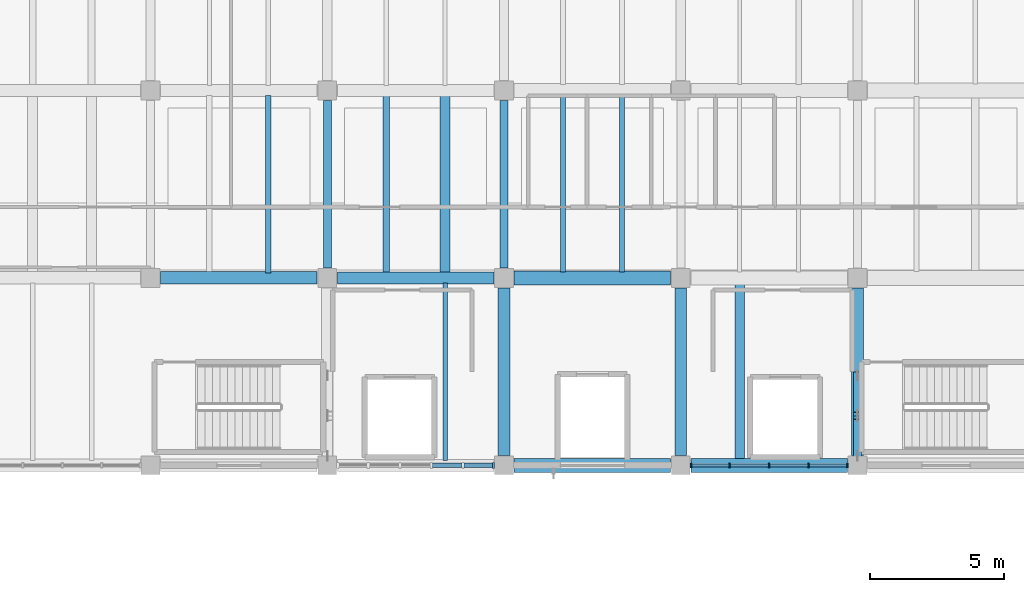
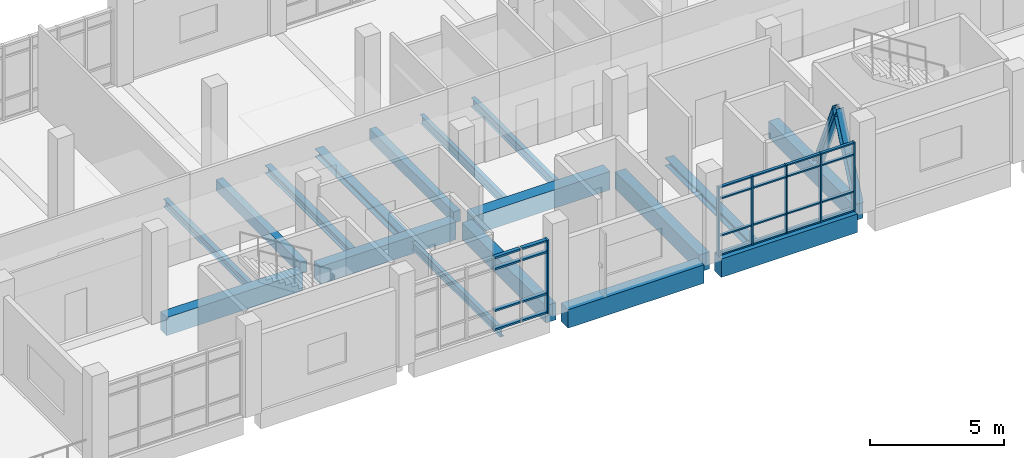
# One storey, part 4 of 20: 32 members, 17 beams, 2 elements without a shape of their own.
"""IFC4 building model written with IfcOpenShell, lengths in metres."""

from ifc_helpers import new_model, si_unit, direction, frame, origin, origin_2d, place, context, subcontext, project, spatial, rectangle, i_section, extrude, material, material_profile, profile_set, type_object, element, aggregate, save


model = new_model("IFC4")

# Units and contexts
model_context = context("Model", 3, precision=1e-05, world=origin(), true_north=direction((0.0, 1.0)))
body_context = subcontext(model_context, "Body", "Model", "MODEL_VIEW")
ifc_project = project(units=[si_unit("LENGTHUNIT", "METRE"), si_unit("AREAUNIT", "SQUARE_METRE"), si_unit("VOLUMEUNIT", "CUBIC_METRE"), si_unit("PLANEANGLEUNIT", "RADIAN"), si_unit("MASSUNIT", "GRAM", prefix="KILO")], contexts=[model_context])

# Site, building, storey
site_placement = place(None, origin())
site = spatial("IfcSite", under=ifc_project, at=site_placement, CompositionType="ELEMENT")
building_placement = place(site_placement, origin())
building = spatial("IfcBuilding", under=site, at=building_placement, Name="Ciguamira Faculty of Natural Sciences", CompositionType="ELEMENT")
storey_placement = place(building_placement, frame((0.0, 0.0, 21.0)))
storey = spatial("IfcBuildingStorey", under=building, at=storey_placement, Name="L05", CompositionType="ELEMENT", Elevation=21.0)

# Curtain wall, members
ifc_material_1 = material(Name="Anodized aluminium curtain wall", Category="aluminium")
curtain_wall_type_1 = type_object("IfcCurtainWallType", Name="CurtainWall_CW-04", PredefinedType="USERDEFINED", material=ifc_material_1)
curtain_wall_1_placement = place(storey_placement, origin())
curtain_wall_1 = element("IfcCurtainWall", 1, at=curtain_wall_1_placement, inside=storey, type_object=curtain_wall_type_1, Name="L05 unitised curtain wall 0136", ObjectType="UNITISED CURTAIN WALL", PredefinedType="USERDEFINED")
ifc_material_2 = material(Name="Anodized aluminium mullion", Category="aluminium")
ifc_material_profile_1 = material_profile(ifc_material_2, rectangle(XDim=0.06005859375, YDim=0.159912109375, at=origin_2d()), Name="ALU-MUL-60X160")
ifc_profile_set_1 = profile_set([ifc_material_profile_1], Name="Anodized aluminium mullion")
member_type_1 = type_object("IfcMemberType", Name="CWMullion_CWM-01", PredefinedType="MULLION", material=ifc_profile_set_1)
member_1_placement = place(storey_placement, frame((90.679931640625, 94.0, 0.0), z_axis=(0.0, 0.0, 1.0), x_axis=(1.0, 0.0, 0.0)))
member_1 = element("IfcMember", 2, at=member_1_placement, type_object=member_type_1, Name="CW-04 mullion 1", PredefinedType="MULLION", context=body_context, shape_type="SweptSolid", body=[
    extrude(rectangle(XDim=0.06005859375, YDim=0.159912109375, at=origin_2d()), origin(), (0.0, 0.0, 1.0), 3.135009765625),
])
member_2_placement = place(storey_placement, frame((92.125, 94.0, 0.0), z_axis=(0.0, 0.0, 1.0), x_axis=(1.0, 0.0, 0.0)))
member_2 = element("IfcMember", 3, at=member_2_placement, type_object=member_type_1, Name="CW-04 mullion 2", PredefinedType="MULLION", context=body_context, shape_type="SweptSolid", body=[
    extrude(rectangle(XDim=0.06005859375, YDim=0.159912109375, at=origin_2d()), origin(), (0.0, 0.0, 1.0), 3.135009765625),
])
member_3_placement = place(storey_placement, frame((93.60009765625, 94.0, 0.0), z_axis=(0.0, 0.0, 1.0), x_axis=(1.0, 0.0, 0.0)))
member_3 = element("IfcMember", 4, at=member_3_placement, type_object=member_type_1, Name="CW-04 mullion 3", PredefinedType="MULLION", context=body_context, shape_type="SweptSolid", body=[
    extrude(rectangle(XDim=0.06005859375, YDim=0.159912109375, at=origin_2d()), origin(), (0.0, 0.0, 1.0), 3.135009765625),
])
member_4_placement = place(storey_placement, frame((95.074951171875, 94.0, 0.0), z_axis=(0.0, 0.0, 1.0), x_axis=(1.0, 0.0, 0.0)))
member_4 = element("IfcMember", 5, at=member_4_placement, type_object=member_type_1, Name="CW-04 mullion 4", PredefinedType="MULLION", context=body_context, shape_type="SweptSolid", body=[
    extrude(rectangle(XDim=0.06005859375, YDim=0.159912109375, at=origin_2d()), origin(), (0.0, 0.0, 1.0), 3.135009765625),
])
member_5_placement = place(storey_placement, frame((96.52001953125, 94.0, 0.0), z_axis=(0.0, 0.0, 1.0), x_axis=(1.0, 0.0, 0.0)))
member_5 = element("IfcMember", 6, at=member_5_placement, type_object=member_type_1, Name="CW-04 mullion 5", PredefinedType="MULLION", context=body_context, shape_type="SweptSolid", body=[
    extrude(rectangle(XDim=0.06005859375, YDim=0.159912109375, at=origin_2d()), origin(), (0.0, 0.0, 1.0), 3.135009765625),
])

# Curtain wall, member
curtain_wall_type_2 = type_object("IfcCurtainWallType", Name="CurtainWall_CW-03", PredefinedType="USERDEFINED", material=ifc_material_1)
curtain_wall_2_placement = place(storey_placement, origin())
curtain_wall_2 = element("IfcCurtainWall", 7, at=curtain_wall_2_placement, inside=storey, type_object=curtain_wall_type_2, Name="L05 unitised curtain wall 0135", ObjectType="UNITISED CURTAIN WALL", PredefinedType="USERDEFINED")
ifc_material_profile_2 = material_profile(ifc_material_2, rectangle(XDim=0.080078125, YDim=0.219970703125, at=origin_2d()), Name="ALU-MUL-80X220")
ifc_profile_set_2 = profile_set([ifc_material_profile_2], Name="Anodized aluminium mullion")
member_type_2 = type_object("IfcMemberType", Name="CWMullion_CWM-03", PredefinedType="MULLION", material=ifc_profile_set_2)
member_6_placement = place(storey_placement, frame((83.31005859375, 94.0, 0.0), z_axis=(0.0, 0.0, 1.0), x_axis=(1.0, 0.0, 0.0)))
member_6 = element("IfcMember", 8, at=member_6_placement, type_object=member_type_2, Name="CW-03 mullion 6", PredefinedType="MULLION", context=body_context, shape_type="SweptSolid", body=[
    extrude(rectangle(XDim=0.080078125, YDim=0.219970703125, at=origin_2d()), origin(), (0.0, 0.0, 1.0), 3.344970703125),
])

# Member
ifc_material_3 = material(Name="Anodized aluminium transom", Category="aluminium")
ifc_material_profile_3 = material_profile(ifc_material_3, rectangle(XDim=0.06005859375, YDim=0.1201171875, at=origin_2d()), Name="ALU-TRN-60X120")
ifc_profile_set_3 = profile_set([ifc_material_profile_3], Name="Anodized aluminium transom")
member_type_3 = type_object("IfcMemberType", Name="CWTransom_CWT-01", PredefinedType="USERDEFINED", material=ifc_profile_set_3)
member_7_placement = place(storey_placement, frame((90.7099609375, 94.0, 0.030029296875), z_axis=(1.0, 0.0, 0.0), x_axis=(0.0, 0.0, 1.0)))
member_7 = element("IfcMember", 9, at=member_7_placement, type_object=member_type_3, Name="CW-04 transom 1.1", ObjectType="TRANSOM", PredefinedType="USERDEFINED", context=body_context, shape_type="SweptSolid", body=[
    extrude(rectangle(XDim=0.06005859375, YDim=0.1201171875, at=origin_2d()), origin(), (0.0, 0.0, 1.0), 1.385009765625),
])

member_8_placement = place(storey_placement, frame((90.7099609375, 94.0, 0.89990234375), z_axis=(1.0, 0.0, 0.0), x_axis=(0.0, 0.0, 1.0)))
member_8 = element("IfcMember", 10, at=member_8_placement, type_object=member_type_3, Name="CW-04 transom 1.2", ObjectType="TRANSOM", PredefinedType="USERDEFINED", context=body_context, shape_type="SweptSolid", body=[
    extrude(rectangle(XDim=0.06005859375, YDim=0.1201171875, at=origin_2d()), origin(), (0.0, 0.0, 1.0), 1.385009765625),
])

member_9_placement = place(storey_placement, frame((90.7099609375, 94.0, 2.5849609375), z_axis=(1.0, 0.0, 0.0), x_axis=(0.0, 0.0, 1.0)))
member_9 = element("IfcMember", 11, at=member_9_placement, type_object=member_type_3, Name="CW-04 transom 1.3", ObjectType="TRANSOM", PredefinedType="USERDEFINED", context=body_context, shape_type="SweptSolid", body=[
    extrude(rectangle(XDim=0.06005859375, YDim=0.1201171875, at=origin_2d()), origin(), (0.0, 0.0, 1.0), 1.385009765625),
])

member_10_placement = place(storey_placement, frame((90.7099609375, 94.0, 3.10498046875), z_axis=(1.0, 0.0, 0.0), x_axis=(0.0, 0.0, 1.0)))
member_10 = element("IfcMember", 12, at=member_10_placement, type_object=member_type_3, Name="CW-04 transom 1.4", ObjectType="TRANSOM", PredefinedType="USERDEFINED", context=body_context, shape_type="SweptSolid", body=[
    extrude(rectangle(XDim=0.06005859375, YDim=0.1201171875, at=origin_2d()), origin(), (0.0, 0.0, 1.0), 1.385009765625),
])

member_11_placement = place(storey_placement, frame((92.155029296875, 94.0, 0.030029296875), z_axis=(1.0, 0.0, 0.0), x_axis=(0.0, 0.0, 1.0)))
member_11 = element("IfcMember", 13, at=member_11_placement, type_object=member_type_3, Name="CW-04 transom 2.1", ObjectType="TRANSOM", PredefinedType="USERDEFINED", context=body_context, shape_type="SweptSolid", body=[
    extrude(rectangle(XDim=0.06005859375, YDim=0.1201171875, at=origin_2d()), origin(), (0.0, 0.0, 1.0), 1.4150390625),
])

member_12_placement = place(storey_placement, frame((92.155029296875, 94.0, 0.89990234375), z_axis=(1.0, 0.0, 0.0), x_axis=(0.0, 0.0, 1.0)))
member_12 = element("IfcMember", 14, at=member_12_placement, type_object=member_type_3, Name="CW-04 transom 2.2", ObjectType="TRANSOM", PredefinedType="USERDEFINED", context=body_context, shape_type="SweptSolid", body=[
    extrude(rectangle(XDim=0.06005859375, YDim=0.1201171875, at=origin_2d()), origin(), (0.0, 0.0, 1.0), 1.4150390625),
])

member_13_placement = place(storey_placement, frame((92.155029296875, 94.0, 2.5849609375), z_axis=(1.0, 0.0, 0.0), x_axis=(0.0, 0.0, 1.0)))
member_13 = element("IfcMember", 15, at=member_13_placement, type_object=member_type_3, Name="CW-04 transom 2.3", ObjectType="TRANSOM", PredefinedType="USERDEFINED", context=body_context, shape_type="SweptSolid", body=[
    extrude(rectangle(XDim=0.06005859375, YDim=0.1201171875, at=origin_2d()), origin(), (0.0, 0.0, 1.0), 1.4150390625),
])

member_14_placement = place(storey_placement, frame((92.155029296875, 94.0, 3.10498046875), z_axis=(1.0, 0.0, 0.0), x_axis=(0.0, 0.0, 1.0)))
member_14 = element("IfcMember", 16, at=member_14_placement, type_object=member_type_3, Name="CW-04 transom 2.4", ObjectType="TRANSOM", PredefinedType="USERDEFINED", context=body_context, shape_type="SweptSolid", body=[
    extrude(rectangle(XDim=0.06005859375, YDim=0.1201171875, at=origin_2d()), origin(), (0.0, 0.0, 1.0), 1.4150390625),
])

member_15_placement = place(storey_placement, frame((93.6298828125, 94.0, 0.030029296875), z_axis=(1.0, 0.0, 0.0), x_axis=(0.0, 0.0, 1.0)))
member_15 = element("IfcMember", 17, at=member_15_placement, type_object=member_type_3, Name="CW-04 transom 3.1", ObjectType="TRANSOM", PredefinedType="USERDEFINED", context=body_context, shape_type="SweptSolid", body=[
    extrude(rectangle(XDim=0.06005859375, YDim=0.1201171875, at=origin_2d()), origin(), (0.0, 0.0, 1.0), 1.4150390625),
])

member_16_placement = place(storey_placement, frame((93.6298828125, 94.0, 0.89990234375), z_axis=(1.0, 0.0, 0.0), x_axis=(0.0, 0.0, 1.0)))
member_16 = element("IfcMember", 18, at=member_16_placement, type_object=member_type_3, Name="CW-04 transom 3.2", ObjectType="TRANSOM", PredefinedType="USERDEFINED", context=body_context, shape_type="SweptSolid", body=[
    extrude(rectangle(XDim=0.06005859375, YDim=0.1201171875, at=origin_2d()), origin(), (0.0, 0.0, 1.0), 1.4150390625),
])

member_17_placement = place(storey_placement, frame((93.6298828125, 94.0, 2.5849609375), z_axis=(1.0, 0.0, 0.0), x_axis=(0.0, 0.0, 1.0)))
member_17 = element("IfcMember", 19, at=member_17_placement, type_object=member_type_3, Name="CW-04 transom 3.3", ObjectType="TRANSOM", PredefinedType="USERDEFINED", context=body_context, shape_type="SweptSolid", body=[
    extrude(rectangle(XDim=0.06005859375, YDim=0.1201171875, at=origin_2d()), origin(), (0.0, 0.0, 1.0), 1.4150390625),
])

member_18_placement = place(storey_placement, frame((93.6298828125, 94.0, 3.10498046875), z_axis=(1.0, 0.0, 0.0), x_axis=(0.0, 0.0, 1.0)))
member_18 = element("IfcMember", 20, at=member_18_placement, type_object=member_type_3, Name="CW-04 transom 3.4", ObjectType="TRANSOM", PredefinedType="USERDEFINED", context=body_context, shape_type="SweptSolid", body=[
    extrude(rectangle(XDim=0.06005859375, YDim=0.1201171875, at=origin_2d()), origin(), (0.0, 0.0, 1.0), 1.4150390625),
])

member_19_placement = place(storey_placement, frame((95.10498046875, 94.0, 0.030029296875), z_axis=(1.0, 0.0, 0.0), x_axis=(0.0, 0.0, 1.0)))
member_19 = element("IfcMember", 21, at=member_19_placement, type_object=member_type_3, Name="CW-04 transom 4.1", ObjectType="TRANSOM", PredefinedType="USERDEFINED", context=body_context, shape_type="SweptSolid", body=[
    extrude(rectangle(XDim=0.06005859375, YDim=0.1201171875, at=origin_2d()), origin(), (0.0, 0.0, 1.0), 1.385009765625),
])

member_20_placement = place(storey_placement, frame((95.10498046875, 94.0, 0.89990234375), z_axis=(1.0, 0.0, 0.0), x_axis=(0.0, 0.0, 1.0)))
member_20 = element("IfcMember", 22, at=member_20_placement, type_object=member_type_3, Name="CW-04 transom 4.2", ObjectType="TRANSOM", PredefinedType="USERDEFINED", context=body_context, shape_type="SweptSolid", body=[
    extrude(rectangle(XDim=0.06005859375, YDim=0.1201171875, at=origin_2d()), origin(), (0.0, 0.0, 1.0), 1.385009765625),
])

member_21_placement = place(storey_placement, frame((95.10498046875, 94.0, 2.5849609375), z_axis=(1.0, 0.0, 0.0), x_axis=(0.0, 0.0, 1.0)))
member_21 = element("IfcMember", 23, at=member_21_placement, type_object=member_type_3, Name="CW-04 transom 4.3", ObjectType="TRANSOM", PredefinedType="USERDEFINED", context=body_context, shape_type="SweptSolid", body=[
    extrude(rectangle(XDim=0.06005859375, YDim=0.1201171875, at=origin_2d()), origin(), (0.0, 0.0, 1.0), 1.385009765625),
])

member_22_placement = place(storey_placement, frame((95.10498046875, 94.0, 3.10498046875), z_axis=(1.0, 0.0, 0.0), x_axis=(0.0, 0.0, 1.0)))
member_22 = element("IfcMember", 24, at=member_22_placement, type_object=member_type_3, Name="CW-04 transom 4.4", ObjectType="TRANSOM", PredefinedType="USERDEFINED", context=body_context, shape_type="SweptSolid", body=[
    extrude(rectangle(XDim=0.06005859375, YDim=0.1201171875, at=origin_2d()), origin(), (0.0, 0.0, 1.0), 1.385009765625),
])

aggregate(curtain_wall_1, [member_1, member_2, member_3, member_4, member_5, member_7, member_8, member_9, member_10, member_11, member_12, member_13, member_14, member_15, member_16, member_17, member_18, member_19, member_20, member_21, member_22])

ifc_material_profile_4 = material_profile(ifc_material_3, rectangle(XDim=0.080078125, YDim=0.159912109375, at=origin_2d()), Name="ALU-TRN-80X160")
ifc_profile_set_4 = profile_set([ifc_material_profile_4], Name="Anodized aluminium transom")
member_type_4 = type_object("IfcMemberType", Name="CWTransom_CWT-03", PredefinedType="USERDEFINED", material=ifc_profile_set_4)
member_23_placement = place(storey_placement, frame((81.030029296875, 94.0, 0.0400390625), z_axis=(1.0, 0.0, 0.0), x_axis=(0.0, 0.0, 1.0)))
member_23 = element("IfcMember", 25, at=member_23_placement, type_object=member_type_4, Name="CW-03 transom 4.1", ObjectType="TRANSOM", PredefinedType="USERDEFINED", context=body_context, shape_type="SweptSolid", body=[
    extrude(rectangle(XDim=0.080078125, YDim=0.159912109375, at=origin_2d()), origin(), (0.0, 0.0, 1.0), 1.099853515625),
])

member_24_placement = place(storey_placement, frame((81.030029296875, 94.0, 0.89990234375), z_axis=(1.0, 0.0, 0.0), x_axis=(0.0, 0.0, 1.0)))
member_24 = element("IfcMember", 26, at=member_24_placement, type_object=member_type_4, Name="CW-03 transom 4.2", ObjectType="TRANSOM", PredefinedType="USERDEFINED", context=body_context, shape_type="SweptSolid", body=[
    extrude(rectangle(XDim=0.080078125, YDim=0.159912109375, at=origin_2d()), origin(), (0.0, 0.0, 1.0), 1.099853515625),
])

member_25_placement = place(storey_placement, frame((81.030029296875, 94.0, 2.794921875), z_axis=(1.0, 0.0, 0.0), x_axis=(0.0, 0.0, 1.0)))
member_25 = element("IfcMember", 27, at=member_25_placement, type_object=member_type_4, Name="CW-03 transom 4.3", ObjectType="TRANSOM", PredefinedType="USERDEFINED", context=body_context, shape_type="SweptSolid", body=[
    extrude(rectangle(XDim=0.080078125, YDim=0.159912109375, at=origin_2d()), origin(), (0.0, 0.0, 1.0), 1.099853515625),
])

member_26_placement = place(storey_placement, frame((81.030029296875, 94.0, 3.304931640625), z_axis=(1.0, 0.0, 0.0), x_axis=(0.0, 0.0, 1.0)))
member_26 = element("IfcMember", 28, at=member_26_placement, type_object=member_type_4, Name="CW-03 transom 4.4", ObjectType="TRANSOM", PredefinedType="USERDEFINED", context=body_context, shape_type="SweptSolid", body=[
    extrude(rectangle(XDim=0.080078125, YDim=0.159912109375, at=origin_2d()), origin(), (0.0, 0.0, 1.0), 1.099853515625),
])

member_27_placement = place(storey_placement, frame((82.2099609375, 94.0, 0.0400390625), z_axis=(1.0, 0.0, 0.0), x_axis=(0.0, 0.0, 1.0)))
member_27 = element("IfcMember", 29, at=member_27_placement, type_object=member_type_4, Name="CW-03 transom 5.1", ObjectType="TRANSOM", PredefinedType="USERDEFINED", context=body_context, shape_type="SweptSolid", body=[
    extrude(rectangle(XDim=0.080078125, YDim=0.159912109375, at=origin_2d()), origin(), (0.0, 0.0, 1.0), 1.06005859375),
])

member_28_placement = place(storey_placement, frame((82.2099609375, 94.0, 0.89990234375), z_axis=(1.0, 0.0, 0.0), x_axis=(0.0, 0.0, 1.0)))
member_28 = element("IfcMember", 30, at=member_28_placement, type_object=member_type_4, Name="CW-03 transom 5.2", ObjectType="TRANSOM", PredefinedType="USERDEFINED", context=body_context, shape_type="SweptSolid", body=[
    extrude(rectangle(XDim=0.080078125, YDim=0.159912109375, at=origin_2d()), origin(), (0.0, 0.0, 1.0), 1.06005859375),
])

member_29_placement = place(storey_placement, frame((82.2099609375, 94.0, 2.794921875), z_axis=(1.0, 0.0, 0.0), x_axis=(0.0, 0.0, 1.0)))
member_29 = element("IfcMember", 31, at=member_29_placement, type_object=member_type_4, Name="CW-03 transom 5.3", ObjectType="TRANSOM", PredefinedType="USERDEFINED", context=body_context, shape_type="SweptSolid", body=[
    extrude(rectangle(XDim=0.080078125, YDim=0.159912109375, at=origin_2d()), origin(), (0.0, 0.0, 1.0), 1.06005859375),
])

member_30_placement = place(storey_placement, frame((82.2099609375, 94.0, 3.304931640625), z_axis=(1.0, 0.0, 0.0), x_axis=(0.0, 0.0, 1.0)))
member_30 = element("IfcMember", 32, at=member_30_placement, type_object=member_type_4, Name="CW-03 transom 5.4", ObjectType="TRANSOM", PredefinedType="USERDEFINED", context=body_context, shape_type="SweptSolid", body=[
    extrude(rectangle(XDim=0.080078125, YDim=0.159912109375, at=origin_2d()), origin(), (0.0, 0.0, 1.0), 1.06005859375),
])

aggregate(curtain_wall_2, [member_6, member_23, member_24, member_25, member_26, member_27, member_28, member_29, member_30])

# Beams
ifc_material_4 = material(Name="Concrete C40/50", Category="concrete")
ifc_material_profile_5 = material_profile(ifc_material_4, rectangle(XDim=0.4599609375, YDim=0.820068359375, at=origin_2d()), Name="RC-BM-460X820")
ifc_profile_set_5 = profile_set([ifc_material_profile_5], Name="Concrete C40/50")
beam_type_1 = type_object("IfcBeamType", Name="RCBeam_BG-04_RC-BM-460X820", PredefinedType="BEAM", material=ifc_profile_set_5)
beam_1_placement = place(storey_placement, frame((70.875, 101.0, -0.409912109375), z_axis=(1.0, 0.0, 0.0), x_axis=(0.0, 1.0, 0.0)))
element("IfcBeam", 33, at=beam_1_placement, inside=storey, type_object=beam_type_1, Name="L05 RC girder EW-1451", PredefinedType="BEAM", context=body_context, shape_type="SweptSolid", body=[
    extrude(rectangle(XDim=0.4599609375, YDim=0.820068359375, at=origin_2d()), origin(), (0.0, 0.0, 1.0), 5.85009765625),
])
ifc_material_profile_6 = material_profile(ifc_material_4, rectangle(XDim=0.449951171875, YDim=0.800048828125, at=origin_2d()), Name="RC-BM-450X800")
ifc_profile_set_6 = profile_set([ifc_material_profile_6], Name="Concrete C40/50")
beam_type_2 = type_object("IfcBeamType", Name="RCBeam_BG-05_RC-BM-450X800", PredefinedType="BEAM", material=ifc_profile_set_6)
beam_2_placement = place(storey_placement, frame((77.47509765625, 101.0, -0.39990234375), z_axis=(1.0, 0.0, 0.0), x_axis=(0.0, 1.0, 0.0)))
element("IfcBeam", 34, at=beam_2_placement, inside=storey, type_object=beam_type_2, Name="L05 RC girder EW-1452", PredefinedType="BEAM", context=body_context, shape_type="SweptSolid", body=[
    extrude(rectangle(XDim=0.449951171875, YDim=0.800048828125, at=origin_2d()), origin(), (0.0, 0.0, 1.0), 5.849853515625),
])
ifc_material_profile_7 = material_profile(ifc_material_4, rectangle(XDim=0.43994140625, YDim=0.780029296875, at=origin_2d()), Name="RC-BM-440X780")
ifc_profile_set_7 = profile_set([ifc_material_profile_7], Name="Concrete C40/50")
beam_type_3 = type_object("IfcBeamType", Name="RCBeam_BG-06_RC-BM-440X780", PredefinedType="BEAM", material=ifc_profile_set_7)
for number, where, z_axis, x_axis, name in (
    (35, (83.699951171875, 94.375, -0.389892578125), (0.0, 1.0, 0.0), (-1.0, 0.0, 0.0), "L05 girder NS-1483"),
    (36, (90.300048828125, 94.375, -0.389892578125), (0.0, 1.0, 0.0), (-1.0, 0.0, 0.0), "L05 girder NS-1486"),
    (37, (96.89990234375, 94.375, -0.389892578125), (0.0, 1.0, 0.0), (-1.0, 0.0, 0.0), "L05 core-end brace tie girder 96"),
):
    element("IfcBeam", number, at=place(storey_placement, frame(where, z_axis=z_axis, x_axis=x_axis)), inside=storey, type_object=beam_type_3, Name=name, PredefinedType="BEAM", context=body_context, shape_type="SweptSolid", body=[
        extrude(rectangle(XDim=0.43994140625, YDim=0.780029296875, at=origin_2d()), origin(), (0.0, 0.0, 1.0), 6.25),
    ])
ifc_material_profile_8 = material_profile(ifc_material_4, rectangle(XDim=0.300048828125, YDim=0.52001953125, at=origin_2d()), Name="RC-BM-300X520")
ifc_profile_set_8 = profile_set([ifc_material_profile_8], Name="Concrete C40/50")
beam_type_4 = type_object("IfcBeamType", Name="RCBeam_BG-13_RC-BM-300X520", PredefinedType="BEAM", material=ifc_profile_set_8)
for number, where, z_axis, x_axis, name in (
    (38, (77.10009765625, 101.375, -0.260009765625), (0.0, 1.0, 0.0), (-1.0, 0.0, 0.0), "L05 girder NS-1481"),
    (39, (83.699951171875, 101.375, -0.260009765625), (0.0, 1.0, 0.0), (-1.0, 0.0, 0.0), "L05 girder NS-1484"),
):
    element("IfcBeam", number, at=place(storey_placement, frame(where, z_axis=z_axis, x_axis=x_axis)), inside=storey, type_object=beam_type_4, Name=name, PredefinedType="BEAM", context=body_context, shape_type="SweptSolid", body=[
        extrude(rectangle(XDim=0.300048828125, YDim=0.52001953125, at=origin_2d()), origin(), (0.0, 0.0, 1.0), 6.25),
    ])
ifc_material_profile_9 = material_profile(ifc_material_4, rectangle(XDim=0.52001953125, YDim=0.840087890625, at=origin_2d()), Name="RC-TB-520X840")
ifc_profile_set_9 = profile_set([ifc_material_profile_9], Name="Concrete C40/50")
beam_type_5 = type_object("IfcBeamType", Name="RCBeam_TB-02_RC-TB-520X840", PredefinedType="T_BEAM", material=ifc_profile_set_9)
beam_3_placement = place(storey_placement, frame((84.074951171875, 94.0, -0.419921875), z_axis=(1.0, 0.0, 0.0), x_axis=(0.0, 1.0, 0.0)))
element("IfcBeam", 40, at=beam_3_placement, inside=storey, type_object=beam_type_5, Name="L05 RC girder EW-1445", PredefinedType="T_BEAM", context=body_context, shape_type="SweptSolid", body=[
    extrude(rectangle(XDim=0.52001953125, YDim=0.840087890625, at=origin_2d()), origin(), (0.0, 0.0, 1.0), 5.85009765625),
])
beam_4_placement = place(storey_placement, frame((90.675048828125, 94.0, -0.419921875), z_axis=(1.0, 0.0, 0.0), x_axis=(0.0, 1.0, 0.0)))
element("IfcBeam", 41, at=beam_4_placement, inside=storey, type_object=beam_type_5, Name="L05 RC girder EW-1446", PredefinedType="T_BEAM", context=body_context, shape_type="SweptSolid", body=[
    extrude(rectangle(XDim=0.52001953125, YDim=0.840087890625, at=origin_2d()), origin(), (0.0, 0.0, 1.0), 5.849853515625),
])
beam_5_placement = place(storey_placement, frame((84.074951171875, 101.0, -0.419921875), z_axis=(1.0, 0.0, 0.0), x_axis=(0.0, 1.0, 0.0)))
element("IfcBeam", 42, at=beam_5_placement, inside=storey, type_object=beam_type_5, Name="L05 RC girder EW-1453", PredefinedType="T_BEAM", context=body_context, shape_type="SweptSolid", body=[
    extrude(rectangle(XDim=0.52001953125, YDim=0.840087890625, at=origin_2d()), origin(), (0.0, 0.0, 1.0), 5.85009765625),
])
ifc_material_5 = material(Name="Steel ASTM A992 Grade 50", Category="steel")
ifc_material_profile_10 = material_profile(ifc_material_5, i_section(OverallWidth=0.1708984375, OverallDepth=0.3505859375, WebThickness=0.0068359375, FlangeThickness=0.009765625, at=origin_2d()), Name="W14X30")
ifc_profile_set_10 = profile_set([ifc_material_profile_10], Name="Steel ASTM A992 Grade 50")
beam_type_6 = type_object("IfcBeamType", Name="SteelJoist_SJ-11_W14X30", PredefinedType="JOIST", material=ifc_profile_set_10)
beam_6_placement = place(storey_placement, frame((81.5, 94.18505859375, -0.415283203125), z_axis=(0.0, 1.0, 0.0), x_axis=(-1.0, 0.0, 0.0)))
element("IfcBeam", 43, at=beam_6_placement, inside=storey, type_object=beam_type_6, Name="L05 composite steel joist 01358", PredefinedType="JOIST", context=body_context, shape_type="SweptSolid", body=[
    extrude(i_section(OverallWidth=0.1708984375, OverallDepth=0.3505859375, WebThickness=0.0068359375, FlangeThickness=0.009765625, at=origin_2d()), origin(), (0.0, 0.0, 1.0), 6.6298828125),
])
ifc_material_profile_11 = material_profile(ifc_material_5, i_section(OverallWidth=0.204833984375, OverallDepth=0.35302734375, WebThickness=0.00927734375, FlangeThickness=0.016845703125, at=origin_2d()), Name="W14X53")
ifc_profile_set_11 = profile_set([ifc_material_profile_11], Name="Steel ASTM A992 Grade 50")
beam_type_7 = type_object("IfcBeamType", Name="SteelJoist_SJ-13_W14X53", PredefinedType="JOIST", material=ifc_profile_set_11)
beam_7_placement = place(storey_placement, frame((74.89990234375, 101.18994140625, -0.41650390625), z_axis=(0.0, 1.0, 0.0), x_axis=(-1.0, 0.0, 0.0)))
element("IfcBeam", 44, at=beam_7_placement, inside=storey, type_object=beam_type_7, Name="L05 composite steel joist 01355", PredefinedType="JOIST", context=body_context, shape_type="SweptSolid", body=[
    extrude(i_section(OverallWidth=0.204833984375, OverallDepth=0.35302734375, WebThickness=0.00927734375, FlangeThickness=0.016845703125, at=origin_2d()), origin(), (0.0, 0.0, 1.0), 6.6201171875),
])
ifc_material_profile_12 = material_profile(ifc_material_5, i_section(OverallWidth=0.256591796875, OverallDepth=0.36328125, WebThickness=0.012939453125, FlangeThickness=0.021728515625, at=origin_2d()), Name="W14X82")
ifc_profile_set_12 = profile_set([ifc_material_profile_12], Name="Steel ASTM A992 Grade 50")
beam_type_8 = type_object("IfcBeamType", Name="SteelJoist_SJ-15_W14X82", PredefinedType="JOIST", material=ifc_profile_set_12)
beam_8_placement = place(storey_placement, frame((79.300048828125, 101.18505859375, -0.421630859375), z_axis=(0.0, 1.0, 0.0), x_axis=(-1.0, 0.0, 0.0)))
element("IfcBeam", 45, at=beam_8_placement, inside=storey, type_object=beam_type_8, Name="L05 composite steel joist 01359", PredefinedType="JOIST", context=body_context, shape_type="SweptSolid", body=[
    extrude(i_section(OverallWidth=0.256591796875, OverallDepth=0.36328125, WebThickness=0.012939453125, FlangeThickness=0.021728515625, at=origin_2d()), origin(), (0.0, 0.0, 1.0), 6.6298828125),
])
ifc_material_profile_13 = material_profile(ifc_material_5, i_section(OverallWidth=0.368408203125, OverallDepth=0.355712890625, WebThickness=0.01123046875, FlangeThickness=0.01806640625, at=origin_2d()), Name="W14X90")
ifc_profile_set_13 = profile_set([ifc_material_profile_13], Name="Steel ASTM A992 Grade 50")
beam_type_9 = type_object("IfcBeamType", Name="SteelJoist_SJ-16_W14X90", PredefinedType="JOIST", material=ifc_profile_set_13)
beam_9_placement = place(storey_placement, frame((81.5, 101.18505859375, -0.417724609375), z_axis=(0.0, 1.0, 0.0), x_axis=(-1.0, 0.0, 0.0)))
element("IfcBeam", 46, at=beam_9_placement, inside=storey, type_object=beam_type_9, Name="L05 composite steel joist 01360", PredefinedType="JOIST", context=body_context, shape_type="SweptSolid", body=[
    extrude(i_section(OverallWidth=0.368408203125, OverallDepth=0.355712890625, WebThickness=0.01123046875, FlangeThickness=0.01806640625, at=origin_2d()), origin(), (0.0, 0.0, 1.0), 6.6298828125),
])
beam_10_placement = place(storey_placement, frame((92.5, 94.219970703125, -0.417724609375), z_axis=(0.0, 1.0, 0.0), x_axis=(-1.0, 0.0, 0.0)))
element("IfcBeam", 47, at=beam_10_placement, inside=storey, type_object=beam_type_9, Name="L05 composite steel joist 01367", PredefinedType="JOIST", context=body_context, shape_type="SweptSolid", body=[
    extrude(i_section(OverallWidth=0.368408203125, OverallDepth=0.355712890625, WebThickness=0.01123046875, FlangeThickness=0.01806640625, at=origin_2d()), origin(), (0.0, 0.0, 1.0), 6.56005859375),
])
ifc_material_profile_14 = material_profile(ifc_material_5, i_section(OverallWidth=0.177490234375, OverallDepth=0.40380859375, WebThickness=0.007568359375, FlangeThickness=0.010986328125, at=origin_2d()), Name="W16X36")
ifc_profile_set_14 = profile_set([ifc_material_profile_14], Name="Steel ASTM A992 Grade 50")
beam_type_10 = type_object("IfcBeamType", Name="SteelJoist_SJ-18_W16X36", PredefinedType="JOIST", material=ifc_profile_set_14)
beam_11_placement = place(storey_placement, frame((85.89990234375, 101.219970703125, -0.44189453125), z_axis=(0.0, 1.0, 0.0), x_axis=(-1.0, 0.0, 0.0)))
element("IfcBeam", 48, at=beam_11_placement, inside=storey, type_object=beam_type_10, Name="L05 composite steel joist 01363", PredefinedType="JOIST", context=body_context, shape_type="SweptSolid", body=[
    extrude(i_section(OverallWidth=0.177490234375, OverallDepth=0.40380859375, WebThickness=0.007568359375, FlangeThickness=0.010986328125, at=origin_2d()), origin(), (0.0, 0.0, 1.0), 6.56005859375),
])
ifc_material_profile_15 = material_profile(ifc_material_5, i_section(OverallWidth=0.1787109375, OverallDepth=0.408935546875, WebThickness=0.0087890625, FlangeThickness=0.014404296875, at=origin_2d()), Name="W16X45")
ifc_profile_set_15 = profile_set([ifc_material_profile_15], Name="Steel ASTM A992 Grade 50")
beam_type_11 = type_object("IfcBeamType", Name="SteelJoist_SJ-19_W16X45", PredefinedType="JOIST", material=ifc_profile_set_15)
beam_12_placement = place(storey_placement, frame((88.10009765625, 101.219970703125, -0.444580078125), z_axis=(0.0, 1.0, 0.0), x_axis=(-1.0, 0.0, 0.0)))
element("IfcBeam", 49, at=beam_12_placement, inside=storey, type_object=beam_type_11, Name="L05 composite steel joist 01364", PredefinedType="JOIST", context=body_context, shape_type="SweptSolid", body=[
    extrude(i_section(OverallWidth=0.1787109375, OverallDepth=0.408935546875, WebThickness=0.0087890625, FlangeThickness=0.014404296875, at=origin_2d()), origin(), (0.0, 0.0, 1.0), 6.56005859375),
])

# Members
ifc_material_profile_16 = material_profile(ifc_material_5, i_section(OverallWidth=0.3046875, OverallDepth=0.307373046875, WebThickness=0.010009765625, FlangeThickness=0.015380859375, at=origin_2d()), Name="W12X65")
ifc_profile_set_16 = profile_set([ifc_material_profile_16], Name="Steel ASTM A992 Grade 50")
member_type_5 = type_object("IfcMemberType", Name="SteelMember_BR-04_W12X65", PredefinedType="BRACE", material=ifc_profile_set_16)
for number, where, z_axis, x_axis, name in (
    (50, (96.89990234375, 94.35009765625, 0.0), (0.0, 0.401669190317, 0.915784833653), (-1.0, 0.0, 0.0), "L05 lateral chevron brace 027"),
    (51, (96.89990234375, 97.35009765625, 0.0), (0.0, -0.401669190317, 0.915784833653), (1.0, 0.0, 0.0), "L05 lateral chevron brace 028"),
):
    element("IfcMember", number, at=place(storey_placement, frame(where, z_axis=z_axis, x_axis=x_axis)), inside=storey, type_object=member_type_5, Name=name, PredefinedType="BRACE", context=body_context, shape_type="SweptSolid", body=[
        extrude(i_section(OverallWidth=0.3046875, OverallDepth=0.307373046875, WebThickness=0.010009765625, FlangeThickness=0.015380859375, at=origin_2d()), origin(), (0.0, 0.0, 1.0), 3.734375),
    ])

save(model, "model.ifc")
